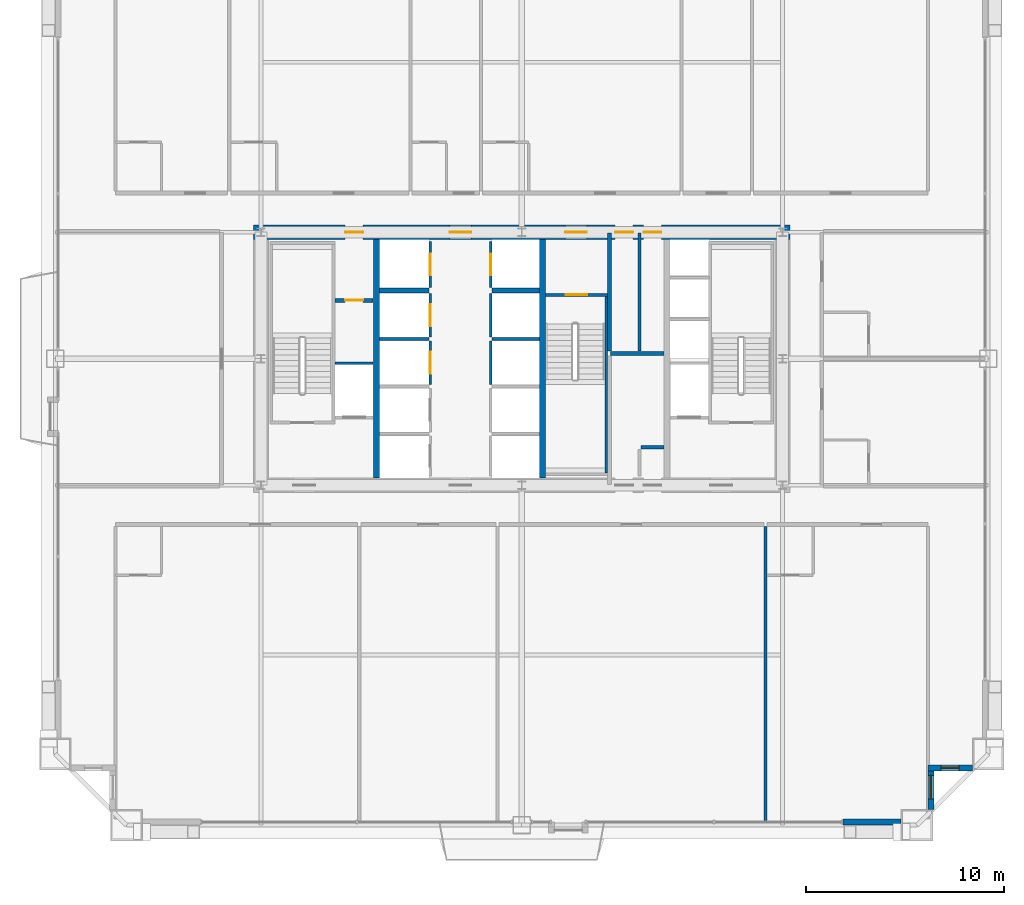
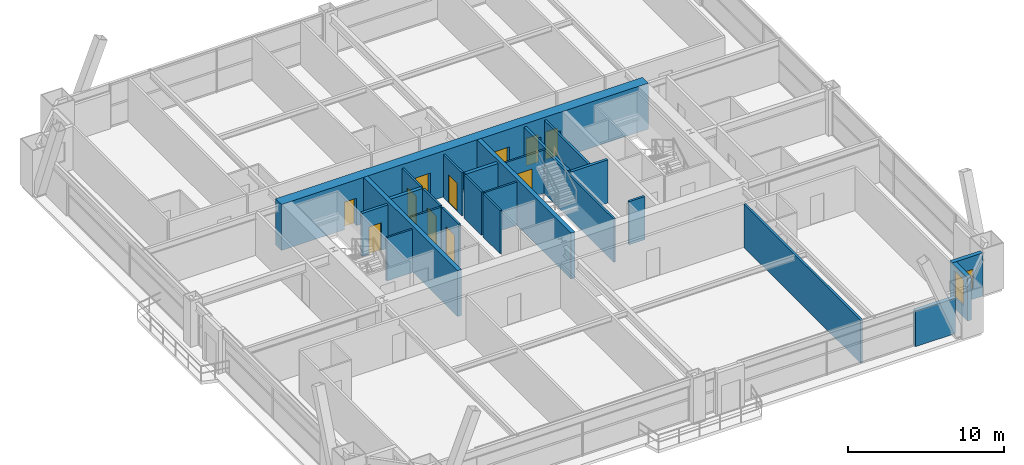
# One storey, part 38 of 41: 25 walls, 11 doors, 2 windows, 13 openings.
"""IFC4 building model written with IfcOpenShell, lengths in metres."""

from ifc_helpers import new_model, si_unit, direction, frame, frame_2d, origin, place, context, subcontext, project, spatial, rectangle, extrude, source, transform, mapped, material, layer, layer_set, type_object, element, fill, save


model = new_model("IFC4")

# Units and contexts
model_context = context("Model", 3, precision=1e-05, world=origin(), true_north=direction((0.0, 1.0)))
body_context = subcontext(model_context, "Body", "Model", "MODEL_VIEW")
ifc_project = project(units=[si_unit("LENGTHUNIT", "METRE"), si_unit("AREAUNIT", "SQUARE_METRE"), si_unit("VOLUMEUNIT", "CUBIC_METRE"), si_unit("PLANEANGLEUNIT", "RADIAN"), si_unit("MASSUNIT", "GRAM", prefix="KILO"), si_unit("THERMODYNAMICTEMPERATUREUNIT", "KELVIN"), si_unit("POWERUNIT", "WATT")], contexts=[model_context])

# Site, building, storey
site_placement = place(None, origin())
site = spatial("IfcSite", under=ifc_project, at=site_placement, CompositionType="ELEMENT")
building_placement = place(site_placement, origin())
building = spatial("IfcBuilding", under=site, at=building_placement, Name="Yuzanri Waterfront Tower", CompositionType="ELEMENT")
storey_placement = place(building_placement, frame((0.0, 0.0, 115.39990234375)))
storey = spatial("IfcBuildingStorey", under=building, at=storey_placement, Name="L30", CompositionType="ELEMENT", Elevation=115.39990234375)

# Wall, opening, window
ifc_material_1 = material(Name="Honed Chongqing Dark Basalt Stone", Category="masonry")
ifc_layer_1 = layer(ifc_material_1, 0.300048828125)
ifc_layer_set_1 = layer_set([ifc_layer_1], Name="Honed Chongqing Dark Basalt Stone")
wall_type_1 = type_object("IfcWallType", Name="Bronze Rainscreen Insulated Spandrel Portal Wall 300", PredefinedType="SOLIDWALL", material=ifc_layer_set_1)
wall_1_placement = place(storey_placement, frame((57.550048828125, 5.10009765625, 0.0), z_axis=(0.0, 0.0, 1.0), x_axis=(1.0, 0.0, 0.0)))
wall_1 = element("IfcWall", 1, at=wall_1_placement, inside=storey, type_object=wall_type_1, Name="L30 Notched Corner Masonry Wall SE-X", PredefinedType="SOLIDWALL", context=body_context, shape_type="SweptSolid", body=[
    extrude(rectangle(XDim=2.25, YDim=0.300048828125, at=frame_2d((1.125, 0.0))), origin(), (0.0, 0.0, 1.0), 3.380126953125),
])
opening_1_placement = place(wall_1_placement, frame((0.675048828125, 0.0, 0.85009765625)))
opening_1 = element("IfcOpeningElement", 2, at=opening_1_placement, cuts=wall_1, Name="Opening WN-05", PredefinedType="OPENING", context=body_context, shape_type="SweptSolid", body=[
    extrude(rectangle(XDim=0.89990234375, YDim=1.5, at=frame_2d((0.449951171875, 0.75))), frame((0.0, 0.1650390625, 0.0), z_axis=(0.0, -1.0, 0.0), x_axis=(1.0, 0.0, 0.0)), (0.0, 0.0, 1.0), 0.329833984375),
])
ifc_material_2 = material(Name="Double-Silver Low-E Insulated Glass", Category="glass")
window_type_1 = type_object("IfcWindowType", Name="Anodized Bronze Service and Stairwell Smoke-Vent Window 900x1500", PartitioningType="SINGLE_PANEL", PredefinedType="WINDOW", material=ifc_material_2)
shared_shape_1 = source(origin(), body_context, "Body", "SweptSolid", [
    extrude(rectangle(XDim=0.89990234375, YDim=1.5, at=frame_2d((0.449951171875, 0.75))), frame((0.0, 0.030029296875, 0.0), z_axis=(0.0, -1.0, 0.0), x_axis=(1.0, 0.0, 0.0)), (0.0, 0.0, 1.0), 0.06005859375),
])
window_1_placement = place(opening_1_placement, origin())
window_1 = element("IfcWindow", 3, at=window_1_placement, inside=storey, type_object=window_type_1, Name="L30 Notched Corner Window SE-X", OverallHeight=1.5, OverallWidth=0.89990234375, PartitioningType="SINGLE_PANEL", PredefinedType="WINDOW", context=body_context, shape_type="MappedRepresentation", body=[
    mapped(shared_shape_1, transform((0.0, 0.0, 0.0), scale=1.0)),
])
fill(opening_1, window_1)

wall_2_placement = place(storey_placement, frame((57.699951171875, 3.0, 0.0), z_axis=(0.0, 0.0, 1.0), x_axis=(0.0, 1.0, 0.0)))
wall_2 = element("IfcWall", 4, at=wall_2_placement, inside=storey, type_object=wall_type_1, Name="L30 Notched Corner Masonry Wall SE-Y", PredefinedType="SOLIDWALL", context=body_context, shape_type="SweptSolid", body=[
    extrude(rectangle(XDim=2.25, YDim=0.300048828125, at=frame_2d((1.125, 0.0))), origin(), (0.0, 0.0, 1.0), 3.380126953125),
])
opening_2_placement = place(wall_2_placement, frame((0.52490234375, 0.0, 0.85009765625)))
opening_2 = element("IfcOpeningElement", 5, at=opening_2_placement, cuts=wall_2, Name="Opening WN-02", PredefinedType="OPENING", context=body_context, shape_type="SweptSolid", body=[
    extrude(rectangle(XDim=1.199951171875, YDim=2.10009765625, at=frame_2d((0.60009765625, 1.050048828125))), frame((0.0, 0.1650390625, 0.0), z_axis=(0.0, -1.0, 0.0), x_axis=(1.0, 0.0, 0.0)), (0.0, 0.0, 1.0), 0.329833984375),
])
ifc_material_3 = material(Name="Double-Silver Low-E Insulated Glass", Category="glass")
window_type_2 = type_object("IfcWindowType", Name="Anodized Bronze Notched Corner Deep-Set Slot Window 1200x2100", PartitioningType="SINGLE_PANEL", PredefinedType="WINDOW", material=ifc_material_3)
shared_shape_2 = source(origin(), body_context, "Body", "SweptSolid", [
    extrude(rectangle(XDim=1.199951171875, YDim=2.10009765625, at=frame_2d((0.60009765625, 1.050048828125))), frame((0.0, 0.030029296875, 0.0), z_axis=(0.0, -1.0, 0.0), x_axis=(1.0, 0.0, 0.0)), (0.0, 0.0, 1.0), 0.06005859375),
])
window_2_placement = place(opening_2_placement, origin())
window_2 = element("IfcWindow", 6, at=window_2_placement, inside=storey, type_object=window_type_2, Name="L30 Notched Corner Window SE-Y", OverallHeight=2.10009765625, OverallWidth=1.199951171875, PartitioningType="SINGLE_PANEL", PredefinedType="WINDOW", context=body_context, shape_type="MappedRepresentation", body=[
    mapped(shared_shape_2, transform((0.0, 0.0, 0.0), scale=1.0)),
])
fill(opening_2, window_2)

# Wall, openings, doors
ifc_material_4 = material(Name="Concrete C55", Category="concrete")
ifc_layer_2 = layer(ifc_material_4, 0.75)
ifc_layer_set_2 = layer_set([ifc_layer_2], Name="Concrete C55")
wall_type_2 = type_object("IfcWallType", Name="Concrete C55 Low-Mid Zone Core Shear Wall 750", PredefinedType="SHEAR", material=ifc_layer_set_2)
wall_3_placement = place(storey_placement, frame((23.425048828125, 32.199951171875, 0.0), z_axis=(0.0, 0.0, 1.0), x_axis=(1.0, 0.0, 0.0)))
wall_3 = element("IfcWall", 7, at=wall_3_placement, inside=storey, type_object=wall_type_2, Name="L30 Core North Shear Wall", PredefinedType="SHEAR", context=body_context, shape_type="SweptSolid", body=[
    extrude(rectangle(XDim=27.14990234375, YDim=0.75, at=frame_2d((13.574951171875, 0.0))), origin(), (0.0, 0.0, 1.0), 3.60009765625),
])
opening_3_placement = place(wall_3_placement, frame((4.64501953125, 0.0, 0.0)))
opening_3 = element("IfcOpeningElement", 8, at=opening_3_placement, cuts=wall_3, Name="Opening FD-0900", PredefinedType="OPENING", context=body_context, shape_type="SweptSolid", body=[
    extrude(rectangle(XDim=0.89990234375, YDim=2.14990234375, at=frame_2d((0.449951171875, 1.074951171875))), frame((0.0, 0.389892578125, 0.0), z_axis=(0.0, -1.0, 0.0), x_axis=(1.0, 0.0, 0.0)), (0.0, 0.0, 1.0), 0.77978515625),
])
opening_4_placement = place(wall_3_placement, frame((9.925048828125, 0.0, 0.0)))
opening_4 = element("IfcOpeningElement", 9, at=opening_4_placement, cuts=wall_3, Name="Opening FD-1100", PredefinedType="OPENING", context=body_context, shape_type="SweptSolid", body=[
    extrude(rectangle(XDim=1.10009765625, YDim=2.199951171875, at=frame_2d((0.550048828125, 1.10009765625))), frame((0.0, 0.389892578125, 0.0), z_axis=(0.0, -1.0, 0.0), x_axis=(1.0, 0.0, 0.0)), (0.0, 0.0, 1.0), 0.77978515625),
])
opening_5_placement = place(wall_3_placement, frame((15.77490234375, 0.0, 0.0)))
opening_5 = element("IfcOpeningElement", 10, at=opening_5_placement, cuts=wall_3, Name="Opening FD-1100", PredefinedType="OPENING", context=body_context, shape_type="SweptSolid", body=[
    extrude(rectangle(XDim=1.10009765625, YDim=2.199951171875, at=frame_2d((0.550048828125, 1.10009765625))), frame((0.0, 0.389892578125, 0.0), z_axis=(0.0, -1.0, 0.0), x_axis=(1.0, 0.0, 0.0)), (0.0, 0.0, 1.0), 0.77978515625),
])
opening_6_placement = place(wall_3_placement, frame((18.304931640625, 0.0, 0.0)))
opening_6 = element("IfcOpeningElement", 11, at=opening_6_placement, cuts=wall_3, Name="Opening FD-0900", PredefinedType="OPENING", context=body_context, shape_type="SweptSolid", body=[
    extrude(rectangle(XDim=0.89990234375, YDim=2.14990234375, at=frame_2d((0.449951171875, 1.074951171875))), frame((0.0, 0.389892578125, 0.0), z_axis=(0.0, -1.0, 0.0), x_axis=(1.0, 0.0, 0.0)), (0.0, 0.0, 1.0), 0.77978515625),
])
opening_7_placement = place(wall_3_placement, frame((19.7451171875, 0.0, 0.0)))
opening_7 = element("IfcOpeningElement", 12, at=opening_7_placement, cuts=wall_3, Name="Opening FD-0900", PredefinedType="OPENING", context=body_context, shape_type="SweptSolid", body=[
    extrude(rectangle(XDim=0.89990234375, YDim=2.14990234375, at=frame_2d((0.449951171875, 1.074951171875))), frame((0.0, 0.389892578125, 0.0), z_axis=(0.0, -1.0, 0.0), x_axis=(1.0, 0.0, 0.0)), (0.0, 0.0, 1.0), 0.77978515625),
])
ifc_material_5 = material(Name="Painted Galvanized Fire Steel", Category="steel")
door_type_1 = type_object("IfcDoorType", Name="Smoke-Proof Stair and Lobby Fire Door 1100x2200", OperationType="NOTDEFINED", PredefinedType="DOOR", material=ifc_material_5)
shared_shape_3 = source(origin(), body_context, "Body", "SweptSolid", [
    extrude(rectangle(XDim=1.10009765625, YDim=2.199951171875, at=frame_2d((0.550048828125, 1.10009765625))), frame((0.0, 0.02490234375, 0.0), z_axis=(0.0, -1.0, 0.0), x_axis=(1.0, 0.0, 0.0)), (0.0, 0.0, 1.0), 0.050048828125),
])
door_1_placement = place(opening_4_placement, origin())
door_1 = element("IfcDoor", 13, at=door_1_placement, inside=storey, type_object=door_type_1, Name="L30 Central Lift Lobby North Door", OperationType="SINGLE_SWING_RIGHT", OverallHeight=2.199951171875, OverallWidth=1.10009765625, PredefinedType="DOOR", context=body_context, shape_type="MappedRepresentation", body=[
    mapped(shared_shape_3, transform((0.0, 0.0, 0.0), scale=1.0)),
])
fill(opening_4, door_1)
door_2_placement = place(opening_5_placement, origin())
door_2 = element("IfcDoor", 14, at=door_2_placement, inside=storey, type_object=door_type_1, Name="L30 North Stair Lobby Door", OperationType="SINGLE_SWING_LEFT", OverallHeight=2.199951171875, OverallWidth=1.10009765625, PredefinedType="DOOR", context=body_context, shape_type="MappedRepresentation", body=[
    mapped(shared_shape_3, transform((0.0, 0.0, 0.0), scale=1.0)),
])
fill(opening_5, door_2)
ifc_material_6 = material(Name="Painted Galvanized Fire Steel", Category="steel")
door_type_2 = type_object("IfcDoorType", Name="Riser and Service Room Fire Door 900x2150", OperationType="NOTDEFINED", PredefinedType="DOOR", material=ifc_material_6)
shared_shape_4 = source(origin(), body_context, "Body", "SweptSolid", [
    extrude(rectangle(XDim=0.89990234375, YDim=2.14990234375, at=frame_2d((0.449951171875, 1.074951171875))), frame((0.0, 0.02490234375, 0.0), z_axis=(0.0, -1.0, 0.0), x_axis=(1.0, 0.0, 0.0)), (0.0, 0.0, 1.0), 0.050048828125),
])
door_3_placement = place(opening_3_placement, origin())
door_3 = element("IfcDoor", 15, at=door_3_placement, inside=storey, type_object=door_type_2, Name="L30 Telecom Riser Door", OperationType="SINGLE_SWING_LEFT", OverallHeight=2.14990234375, OverallWidth=0.89990234375, PredefinedType="DOOR", context=body_context, shape_type="MappedRepresentation", body=[
    mapped(shared_shape_4, transform((0.0, 0.0, 0.0), scale=1.0)),
])
fill(opening_3, door_3)
door_4_placement = place(opening_6_placement, origin())
door_4 = element("IfcDoor", 16, at=door_4_placement, inside=storey, type_object=door_type_2, Name="L30 Common Store Room", OperationType="SINGLE_SWING_LEFT", OverallHeight=2.14990234375, OverallWidth=0.89990234375, PredefinedType="DOOR", context=body_context, shape_type="MappedRepresentation", body=[
    mapped(shared_shape_4, transform((0.0, 0.0, 0.0), scale=1.0)),
])
fill(opening_6, door_4)
door_5_placement = place(opening_7_placement, origin())
door_5 = element("IfcDoor", 17, at=door_5_placement, inside=storey, type_object=door_type_2, Name="L30 Linen Store Room", OperationType="SINGLE_SWING_RIGHT", OverallHeight=2.14990234375, OverallWidth=0.89990234375, PredefinedType="DOOR", context=body_context, shape_type="MappedRepresentation", body=[
    mapped(shared_shape_4, transform((0.0, 0.0, 0.0), scale=1.0)),
])
fill(opening_7, door_5)

# Wall, opening, door
ifc_material_7 = material(Name="Concrete C40", Category="concrete")
ifc_layer_3 = layer(ifc_material_7, 0.139892578125)
ifc_layer_set_3 = layer_set([ifc_layer_3], Name="Concrete C40")
wall_type_3 = type_object("IfcWallType", Name="Core Stair Liner and Hoistway Shaft Wall 140", PredefinedType="SOLIDWALL", material=ifc_layer_set_3)
wall_4_placement = place(storey_placement, frame((32.3701171875, 24.5, 0.0), z_axis=(0.0, 0.0, 1.0), x_axis=(0.0, 1.0, 0.0)))
wall_4 = element("IfcWall", 18, at=wall_4_placement, inside=storey, type_object=wall_type_3, Name="L30 Lift PL-03 Front Shaft Wall", PredefinedType="SOLIDWALL", context=body_context, shape_type="SweptSolid", body=[
    extrude(rectangle(XDim=2.199951171875, YDim=0.139892578125, at=frame_2d((1.10009765625, 0.0))), origin(), (0.0, 0.0, 1.0), 3.380126953125),
])
opening_8_placement = place(wall_4_placement, frame((0.550048828125, 0.0, 0.0)))
opening_8 = element("IfcOpeningElement", 19, at=opening_8_placement, cuts=wall_4, Name="Opening LD-PL-03", PredefinedType="OPENING", context=body_context, shape_type="SweptSolid", body=[
    extrude(rectangle(XDim=1.10009765625, YDim=2.199951171875, at=frame_2d((0.550048828125, 1.10009765625))), frame((0.0, 0.0849609375, 0.0), z_axis=(0.0, -1.0, 0.0), x_axis=(1.0, 0.0, 0.0)), (0.0, 0.0, 1.0), 0.169677734375),
])
ifc_material_8 = material(Name="Brushed Bronze and Stainless Steel Cab", Category="steel")
door_type_3 = type_object("IfcDoorType", Name="Center-Parting Bronze Lift Landing Sliding Door 1100x2200", OperationType="NOTDEFINED", PredefinedType="DOOR", material=ifc_material_8)
shared_shape_5 = source(origin(), body_context, "Body", "SweptSolid", [
    extrude(rectangle(XDim=1.10009765625, YDim=2.199951171875, at=frame_2d((0.550048828125, 1.10009765625))), frame((0.0, 0.02490234375, 0.0), z_axis=(0.0, -1.0, 0.0), x_axis=(1.0, 0.0, 0.0)), (0.0, 0.0, 1.0), 0.050048828125),
])
door_6_placement = place(opening_8_placement, origin())
door_6 = element("IfcDoor", 20, at=door_6_placement, inside=storey, type_object=door_type_3, Name="L30 PL-03 Lift Landing Sliding Door", OperationType="SLIDING_TO_LEFT", OverallHeight=2.199951171875, OverallWidth=1.10009765625, PredefinedType="DOOR", context=body_context, shape_type="MappedRepresentation", body=[
    mapped(shared_shape_5, transform((0.0, 0.0, 0.0), scale=1.0)),
])
fill(opening_8, door_6)

wall_5_placement = place(storey_placement, frame((32.3701171875, 26.89990234375, 0.0), z_axis=(0.0, 0.0, 1.0), x_axis=(0.0, 1.0, 0.0)))
wall_5 = element("IfcWall", 21, at=wall_5_placement, inside=storey, type_object=wall_type_3, Name="L30 Lift PL-04 Front Shaft Wall", PredefinedType="SOLIDWALL", context=body_context, shape_type="SweptSolid", body=[
    extrude(rectangle(XDim=2.2001953125, YDim=0.139892578125, at=frame_2d((1.10009765625, 0.0))), origin(), (0.0, 0.0, 1.0), 3.380126953125),
])
opening_9_placement = place(wall_5_placement, frame((0.550048828125, 0.0, 0.0)))
opening_9 = element("IfcOpeningElement", 22, at=opening_9_placement, cuts=wall_5, Name="Opening LD-PL-04", PredefinedType="OPENING", context=body_context, shape_type="SweptSolid", body=[
    extrude(rectangle(XDim=1.10009765625, YDim=2.199951171875, at=frame_2d((0.550048828125, 1.10009765625))), frame((0.0, 0.0849609375, 0.0), z_axis=(0.0, -1.0, 0.0), x_axis=(1.0, 0.0, 0.0)), (0.0, 0.0, 1.0), 0.169677734375),
])
door_7_placement = place(opening_9_placement, origin())
door_7 = element("IfcDoor", 23, at=door_7_placement, inside=storey, type_object=door_type_3, Name="L30 PL-04 Lift Landing Sliding Door", OperationType="SLIDING_TO_RIGHT", OverallHeight=2.199951171875, OverallWidth=1.10009765625, PredefinedType="DOOR", context=body_context, shape_type="MappedRepresentation", body=[
    mapped(shared_shape_5, transform((0.0, 0.0, 0.0), scale=1.0)),
])
fill(opening_9, door_7)

wall_6_placement = place(storey_placement, frame((32.3701171875, 29.39990234375, 0.0), z_axis=(0.0, 0.0, 1.0), x_axis=(0.0, 1.0, 0.0)))
wall_6 = element("IfcWall", 24, at=wall_6_placement, inside=storey, type_object=wall_type_3, Name="L30 Lift SL-01 Front Shaft Wall", PredefinedType="SOLIDWALL", context=body_context, shape_type="SweptSolid", body=[
    extrude(rectangle(XDim=2.340087890625, YDim=0.139892578125, at=frame_2d((1.169921875, 0.0))), origin(), (0.0, 0.0, 1.0), 3.380126953125),
])
opening_10_placement = place(wall_6_placement, frame((0.6201171875, 0.0, 0.0)))
opening_10 = element("IfcOpeningElement", 25, at=opening_10_placement, cuts=wall_6, Name="Opening LD-SL-01", PredefinedType="OPENING", context=body_context, shape_type="SweptSolid", body=[
    extrude(rectangle(XDim=1.10009765625, YDim=2.199951171875, at=frame_2d((0.550048828125, 1.10009765625))), frame((0.0, 0.0849609375, 0.0), z_axis=(0.0, -1.0, 0.0), x_axis=(1.0, 0.0, 0.0)), (0.0, 0.0, 1.0), 0.169677734375),
])
door_8_placement = place(opening_10_placement, origin())
door_8 = element("IfcDoor", 26, at=door_8_placement, inside=storey, type_object=door_type_3, Name="L30 SL-01 Lift Landing Sliding Door", OperationType="SLIDING_TO_LEFT", OverallHeight=2.199951171875, OverallWidth=1.10009765625, PredefinedType="DOOR", context=body_context, shape_type="MappedRepresentation", body=[
    mapped(shared_shape_5, transform((0.0, 0.0, 0.0), scale=1.0)),
])
fill(opening_10, door_8)

wall_7_placement = place(storey_placement, frame((35.429931640625, 29.39990234375, 0.0), z_axis=(0.0, 0.0, 1.0), x_axis=(0.0, 1.0, 0.0)))
wall_7 = element("IfcWall", 27, at=wall_7_placement, inside=storey, type_object=wall_type_3, Name="L30 Lift SL-02 Front Shaft Wall", PredefinedType="SOLIDWALL", context=body_context, shape_type="SweptSolid", body=[
    extrude(rectangle(XDim=2.340087890625, YDim=0.139892578125, at=frame_2d((1.169921875, 0.0))), origin(), (0.0, 0.0, 1.0), 3.380126953125),
])
opening_11_placement = place(wall_7_placement, frame((0.6201171875, 0.0, 0.0)))
opening_11 = element("IfcOpeningElement", 28, at=opening_11_placement, cuts=wall_7, Name="Opening LD-SL-02", PredefinedType="OPENING", context=body_context, shape_type="SweptSolid", body=[
    extrude(rectangle(XDim=1.10009765625, YDim=2.199951171875, at=frame_2d((0.550048828125, 1.10009765625))), frame((0.0, 0.0849609375, 0.0), z_axis=(0.0, -1.0, 0.0), x_axis=(1.0, 0.0, 0.0)), (0.0, 0.0, 1.0), 0.169677734375),
])
door_9_placement = place(opening_11_placement, origin())
door_9 = element("IfcDoor", 29, at=door_9_placement, inside=storey, type_object=door_type_3, Name="L30 SL-02 Lift Landing Sliding Door", OperationType="SLIDING_TO_RIGHT", OverallHeight=2.199951171875, OverallWidth=1.10009765625, PredefinedType="DOOR", context=body_context, shape_type="MappedRepresentation", body=[
    mapped(shared_shape_5, transform((0.0, 0.0, 0.0), scale=1.0)),
])
fill(opening_11, door_9)

wall_8_placement = place(storey_placement, frame((38.199951171875, 29.030029296875, 0.0), z_axis=(0.0, 0.0, 1.0), x_axis=(1.0, 0.0, 0.0)))
wall_8 = element("IfcWall", 30, at=wall_8_placement, inside=storey, type_object=wall_type_3, Name="L30 Shaft Wall STW-L30-ST-03-N", PredefinedType="SOLIDWALL", context=body_context, shape_type="SweptSolid", body=[
    extrude(rectangle(XDim=3.14013671875, YDim=0.139892578125, at=frame_2d((1.570068359375, 0.0))), origin(), (0.0, 0.0, 1.0), 3.380126953125),
])
opening_12_placement = place(wall_8_placement, frame((1.02001953125, 0.0, 0.0)))
opening_12 = element("IfcOpeningElement", 31, at=opening_12_placement, cuts=wall_8, Name="Opening FD-1100", PredefinedType="OPENING", context=body_context, shape_type="SweptSolid", body=[
    extrude(rectangle(XDim=1.10009765625, YDim=2.199951171875, at=frame_2d((0.550048828125, 1.10009765625))), frame((0.0, 0.0849609375, 0.0), z_axis=(0.0, -1.0, 0.0), x_axis=(1.0, 0.0, 0.0)), (0.0, 0.0, 1.0), 0.169677734375),
])
door_10_placement = place(opening_12_placement, origin())
door_10 = element("IfcDoor", 32, at=door_10_placement, inside=storey, type_object=door_type_1, Name="L30 Stair ST-03 Fire Door", OperationType="SINGLE_SWING_LEFT", OverallHeight=2.199951171875, OverallWidth=1.10009765625, PredefinedType="DOOR", context=body_context, shape_type="MappedRepresentation", body=[
    mapped(shared_shape_3, transform((0.0, 0.0, 0.0), scale=1.0)),
])
fill(opening_12, door_10)

ifc_material_9 = material(Name="Autoclaved Aerated Concrete Blockwork", Category="masonry")
ifc_layer_4 = layer(ifc_material_9, 0.199951171875)
ifc_layer_set_4 = layer_set([ifc_layer_4], Name="Autoclaved Aerated Concrete Blockwork")
wall_type_4 = type_object("IfcWallType", Name="Corridor and Unit Party Fire Wall 200", PredefinedType="PARTITIONING", material=ifc_layer_set_4)
wall_9_placement = place(storey_placement, frame((27.56005859375, 28.75, 0.0), z_axis=(0.0, 0.0, 1.0), x_axis=(1.0, 0.0, 0.0)))
wall_9 = element("IfcWall", 33, at=wall_9_placement, inside=storey, type_object=wall_type_4, Name="L30 Partition CRW-L30-ERTR", PredefinedType="PARTITIONING", context=body_context, shape_type="SweptSolid", body=[
    extrude(rectangle(XDim=1.919921875, YDim=0.199951171875, at=frame_2d((0.9599609375, 0.0))), origin(), (0.0, 0.0, 1.0), 3.380126953125),
])
opening_13_placement = place(wall_9_placement, frame((0.510009765625, 0.0, 0.0)))
opening_13 = element("IfcOpeningElement", 34, at=opening_13_placement, cuts=wall_9, Name="Opening FD-0900", PredefinedType="OPENING", context=body_context, shape_type="SweptSolid", body=[
    extrude(rectangle(XDim=0.89990234375, YDim=2.14990234375, at=frame_2d((0.449951171875, 1.074951171875))), frame((0.0, 0.11474609375, 0.0), z_axis=(0.0, -1.0, 0.0), x_axis=(1.0, 0.0, 0.0)), (0.0, 0.0, 1.0), 0.229736328125),
])
door_11_placement = place(opening_13_placement, origin())
door_11 = element("IfcDoor", 35, at=door_11_placement, inside=storey, type_object=door_type_2, Name="L30 Electrical Riser Door", OperationType="SINGLE_SWING_RIGHT", OverallHeight=2.14990234375, OverallWidth=0.89990234375, PredefinedType="DOOR", context=body_context, shape_type="MappedRepresentation", body=[
    mapped(shared_shape_4, transform((0.0, 0.0, 0.0), scale=1.0)),
])
fill(opening_13, door_11)

# Walls
ifc_material_10 = material(Name="Concrete C50", Category="concrete")
ifc_layer_5 = layer(ifc_material_10, 0.300048828125)
ifc_layer_set_5 = layer_set([ifc_layer_5], Name="Concrete C50")
wall_type_5 = type_object("IfcWallType", Name="Concrete C50 Internal Core Shaft Structural Wall 300", PredefinedType="SOLIDWALL", material=ifc_layer_set_5)
shared_shape_6 = source(origin(), body_context, "Body", "SweptSolid", [
    extrude(rectangle(XDim=12.050048828125, YDim=0.300048828125, at=frame_2d((6.02490234375, 0.0))), origin(), (0.0, 0.0, 1.0), 3.60009765625),
])
for number, where, z_axis, x_axis, name in (
    (36, (29.64990234375, 19.77490234375, 0.0), (0.0, 0.0, 1.0), (0.0, 1.0, 0.0), "L30 Core Internal Structural Web Wall 1"),
    (37, (38.050048828125, 19.77490234375, 0.0), (0.0, 0.0, 1.0), (0.0, 1.0, 0.0), "L30 Core Internal Structural Web Wall 2"),
):
    element("IfcWall", number, at=place(storey_placement, frame(where, z_axis=z_axis, x_axis=x_axis)), inside=storey, type_object=wall_type_5, Name=name, PredefinedType="SOLIDWALL", context=body_context, shape_type="MappedRepresentation", body=[
        mapped(shared_shape_6, transform((0.0, 0.0, 0.0), scale=1.0)),
    ])
shared_shape_7 = source(origin(), body_context, "Body", "SweptSolid", [
    extrude(rectangle(XDim=2.949951171875, YDim=0.300048828125, at=frame_2d((1.47509765625, 0.0))), origin(), (0.0, 0.0, 1.0), 2.775146484375),
])
wall_10_placement = place(storey_placement, frame((53.25, 2.35009765625, 0.0), z_axis=(0.0, 0.0, 1.0), x_axis=(1.0, 0.0, 0.0)))
element("IfcWall", 38, at=wall_10_placement, inside=storey, type_object=wall_type_1, Name="L30 S Right Braced Masonry Shoulder", PredefinedType="SOLIDWALL", context=body_context, shape_type="MappedRepresentation", body=[
    mapped(shared_shape_7, transform((0.0, 0.0, 0.0), scale=1.0)),
])
shared_shape_8 = source(origin(), body_context, "Body", "SweptSolid", [
    extrude(rectangle(XDim=1.919921875, YDim=0.139892578125, at=frame_2d((0.9599609375, 0.0))), origin(), (0.0, 0.0, 1.0), 3.380126953125),
])
wall_11_placement = place(storey_placement, frame((27.56005859375, 25.570068359375, 0.0), z_axis=(0.0, 0.0, 1.0), x_axis=(1.0, 0.0, 0.0)))
element("IfcWall", 39, at=wall_11_placement, inside=storey, type_object=wall_type_3, Name="L30 Lift FL-01 Back Shaft Wall", PredefinedType="SOLIDWALL", context=body_context, shape_type="MappedRepresentation", body=[
    mapped(shared_shape_8, transform((0.0, 0.0, 0.0), scale=1.0)),
])
shared_shape_9 = source(origin(), body_context, "Body", "SweptSolid", [
    extrude(rectangle(XDim=2.5, YDim=0.139892578125, at=frame_2d((1.25, 0.0))), origin(), (0.0, 0.0, 1.0), 3.380126953125),
])
wall_12_placement = place(storey_placement, frame((29.800048828125, 26.800048828125, 0.0), z_axis=(0.0, 0.0, 1.0), x_axis=(1.0, 0.0, 0.0)))
element("IfcWall", 40, at=wall_12_placement, inside=storey, type_object=wall_type_3, Name="L30 Lift PL-03 Divider Wall", PredefinedType="SOLIDWALL", context=body_context, shape_type="MappedRepresentation", body=[
    mapped(shared_shape_9, transform((0.0, 0.0, 0.0), scale=1.0)),
])
ifc_material_11 = material(Name="Concrete C40", Category="concrete")
ifc_layer_6 = layer(ifc_material_11, 0.25)
ifc_layer_set_6 = layer_set([ifc_layer_6], Name="Concrete C40")
wall_type_6 = type_object("IfcWallType", Name="Smoke-Proof Stair and Lift Shaft Wall 250", PredefinedType="SOLIDWALL", material=ifc_layer_set_6)
shared_shape_10 = source(origin(), body_context, "Body", "SweptSolid", [
    extrude(rectangle(XDim=2.5, YDim=0.25, at=frame_2d((1.25, 0.0))), origin(), (0.0, 0.0, 1.0), 3.380126953125),
])
wall_13_placement = place(storey_placement, frame((29.800048828125, 29.25, 0.0), z_axis=(0.0, 0.0, 1.0), x_axis=(1.0, 0.0, 0.0)))
element("IfcWall", 41, at=wall_13_placement, inside=storey, type_object=wall_type_6, Name="L30 Lift SL-01 South Shaft Wall", PredefinedType="SOLIDWALL", context=body_context, shape_type="MappedRepresentation", body=[
    mapped(shared_shape_10, transform((0.0, 0.0, 0.0), scale=1.0)),
])
shared_shape_11 = source(origin(), body_context, "Body", "SweptSolid", [
    extrude(rectangle(XDim=2.39990234375, YDim=0.139892578125, at=frame_2d((1.199951171875, 0.0))), origin(), (0.0, 0.0, 1.0), 3.380126953125),
])
wall_14_placement = place(storey_placement, frame((35.5, 26.800048828125, 0.0), z_axis=(0.0, 0.0, 1.0), x_axis=(1.0, 0.0, 0.0)))
element("IfcWall", 42, at=wall_14_placement, inside=storey, type_object=wall_type_3, Name="L30 Lift PL-07 Divider Wall", PredefinedType="SOLIDWALL", context=body_context, shape_type="MappedRepresentation", body=[
    mapped(shared_shape_11, transform((0.0, 0.0, 0.0), scale=1.0)),
])
shared_shape_12 = source(origin(), body_context, "Body", "SweptSolid", [
    extrude(rectangle(XDim=2.199951171875, YDim=0.139892578125, at=frame_2d((1.10009765625, 0.0))), origin(), (0.0, 0.0, 1.0), 3.380126953125),
])
wall_15_placement = place(storey_placement, frame((35.429931640625, 24.5, 0.0), z_axis=(0.0, 0.0, 1.0), x_axis=(0.0, 1.0, 0.0)))
element("IfcWall", 43, at=wall_15_placement, inside=storey, type_object=wall_type_3, Name="L30 Lift PL-07 Front Shaft Wall", PredefinedType="SOLIDWALL", context=body_context, shape_type="MappedRepresentation", body=[
    mapped(shared_shape_12, transform((0.0, 0.0, 0.0), scale=1.0)),
])
shared_shape_13 = source(origin(), body_context, "Body", "SweptSolid", [
    extrude(rectangle(XDim=2.2001953125, YDim=0.139892578125, at=frame_2d((1.10009765625, 0.0))), origin(), (0.0, 0.0, 1.0), 3.380126953125),
])
wall_16_placement = place(storey_placement, frame((35.429931640625, 26.89990234375, 0.0), z_axis=(0.0, 0.0, 1.0), x_axis=(0.0, 1.0, 0.0)))
element("IfcWall", 44, at=wall_16_placement, inside=storey, type_object=wall_type_3, Name="L30 Lift PL-08 Front Shaft Wall", PredefinedType="SOLIDWALL", context=body_context, shape_type="MappedRepresentation", body=[
    mapped(shared_shape_13, transform((0.0, 0.0, 0.0), scale=1.0)),
])
shared_shape_14 = source(origin(), body_context, "Body", "SweptSolid", [
    extrude(rectangle(XDim=2.39990234375, YDim=0.25, at=frame_2d((1.199951171875, 0.0))), origin(), (0.0, 0.0, 1.0), 3.380126953125),
])
wall_17_placement = place(storey_placement, frame((35.5, 29.25, 0.0), z_axis=(0.0, 0.0, 1.0), x_axis=(1.0, 0.0, 0.0)))
element("IfcWall", 45, at=wall_17_placement, inside=storey, type_object=wall_type_6, Name="L30 Lift SL-02 South Shaft Wall", PredefinedType="SOLIDWALL", context=body_context, shape_type="MappedRepresentation", body=[
    mapped(shared_shape_14, transform((0.0, 0.0, 0.0), scale=1.0)),
])
shared_shape_15 = source(origin(), body_context, "Body", "SweptSolid", [
    extrude(rectangle(XDim=8.93994140625, YDim=0.139892578125, at=frame_2d((4.469970703125, 0.0))), origin(), (0.0, 0.0, 1.0), 3.380126953125),
])
wall_18_placement = place(storey_placement, frame((41.27001953125, 20.02001953125, 0.0), z_axis=(0.0, 0.0, 1.0), x_axis=(0.0, 1.0, 0.0)))
element("IfcWall", 46, at=wall_18_placement, inside=storey, type_object=wall_type_3, Name="L30 Stair ST-03 East Shaft Wall", PredefinedType="SOLIDWALL", context=body_context, shape_type="MappedRepresentation", body=[
    mapped(shared_shape_15, transform((0.0, 0.0, 0.0), scale=1.0)),
])
ifc_material_12 = material(Name="Gypsum Fireboard Acoustic Stud Wall", Category="gypsum")
ifc_layer_7 = layer(ifc_material_12, 0.159912109375)
ifc_layer_set_7 = layer_set([ifc_layer_7], Name="Gypsum Fireboard Acoustic Stud Wall")
wall_type_7 = type_object("IfcWallType", Name="Acoustic Suite Demising Partition 160", PredefinedType="PARTITIONING", material=ifc_layer_set_7)
shared_shape_16 = source(origin(), body_context, "Body", "SweptSolid", [
    extrude(rectangle(XDim=1.169921875, YDim=0.159912109375, at=frame_2d((0.5849609375, 0.0))), origin(), (0.0, 0.0, 1.0), 3.380126953125),
])
wall_19_placement = place(storey_placement, frame((43.030029296875, 21.320068359375, 0.0), z_axis=(0.0, 0.0, 1.0), x_axis=(1.0, 0.0, 0.0)))
element("IfcWall", 47, at=wall_19_placement, inside=storey, type_object=wall_type_7, Name="L30 East Wet Riser North Wall", PredefinedType="PARTITIONING", context=body_context, shape_type="MappedRepresentation", body=[
    mapped(shared_shape_16, transform((0.0, 0.0, 0.0), scale=1.0)),
])
shared_shape_17 = source(origin(), body_context, "Body", "SweptSolid", [
    extrude(rectangle(XDim=2.699951171875, YDim=0.199951171875, at=frame_2d((1.35009765625, 0.0))), origin(), (0.0, 0.0, 1.0), 3.380126953125),
])
wall_20_placement = place(storey_placement, frame((41.5, 26.070068359375, 0.0), z_axis=(0.0, 0.0, 1.0), x_axis=(1.0, 0.0, 0.0)))
element("IfcWall", 48, at=wall_20_placement, inside=storey, type_object=wall_type_4, Name="L30 Core BOH Split Wall 1", PredefinedType="PARTITIONING", context=body_context, shape_type="MappedRepresentation", body=[
    mapped(shared_shape_17, transform((0.0, 0.0, 0.0), scale=1.0)),
])
shared_shape_18 = source(origin(), body_context, "Body", "SweptSolid", [
    extrude(rectangle(XDim=5.9599609375, YDim=0.199951171875, at=frame_2d((2.97998046875, 0.0))), origin(), (0.0, 0.0, 1.0), 3.380126953125),
])
wall_21_placement = place(storey_placement, frame((41.449951171875, 26.199951171875, 0.0), z_axis=(0.0, 0.0, 1.0), x_axis=(0.0, 1.0, 0.0)))
element("IfcWall", 49, at=wall_21_placement, inside=storey, type_object=wall_type_4, Name="L30 Core BOH West Wall 2", PredefinedType="PARTITIONING", context=body_context, shape_type="MappedRepresentation", body=[
    mapped(shared_shape_18, transform((0.0, 0.0, 0.0), scale=1.0)),
])
shared_shape_19 = source(origin(), body_context, "Body", "SweptSolid", [
    extrude(rectangle(XDim=5.9599609375, YDim=0.159912109375, at=frame_2d((2.97998046875, 0.0))), origin(), (0.0, 0.0, 1.0), 3.380126953125),
])
wall_22_placement = place(storey_placement, frame((42.949951171875, 26.199951171875, 0.0), z_axis=(0.0, 0.0, 1.0), x_axis=(0.0, 1.0, 0.0)))
element("IfcWall", 50, at=wall_22_placement, inside=storey, type_object=wall_type_7, Name="L30 Core BOH Mid Wall 3", PredefinedType="PARTITIONING", context=body_context, shape_type="MappedRepresentation", body=[
    mapped(shared_shape_19, transform((0.0, 0.0, 0.0), scale=1.0)),
])
shared_shape_20 = source(origin(), body_context, "Body", "SweptSolid", [
    extrude(rectangle(XDim=14.969970703125, YDim=0.159912109375, at=frame_2d((7.48486328125, 0.0))), origin(), (0.0, 0.0, 1.0), 3.380126953125),
])
wall_23_placement = place(storey_placement, frame((49.3359375, 2.35009765625, 0.0), z_axis=(0.0, 0.0, 1.0), x_axis=(0.0, 1.0, 0.0)))
element("IfcWall", 51, at=wall_23_placement, inside=storey, type_object=wall_type_7, Name="L30-S3 Party Wall", PredefinedType="PARTITIONING", context=body_context, shape_type="MappedRepresentation", body=[
    mapped(shared_shape_20, transform((0.0, 0.0, 0.0), scale=1.0)),
])

save(model, "model.ifc")
